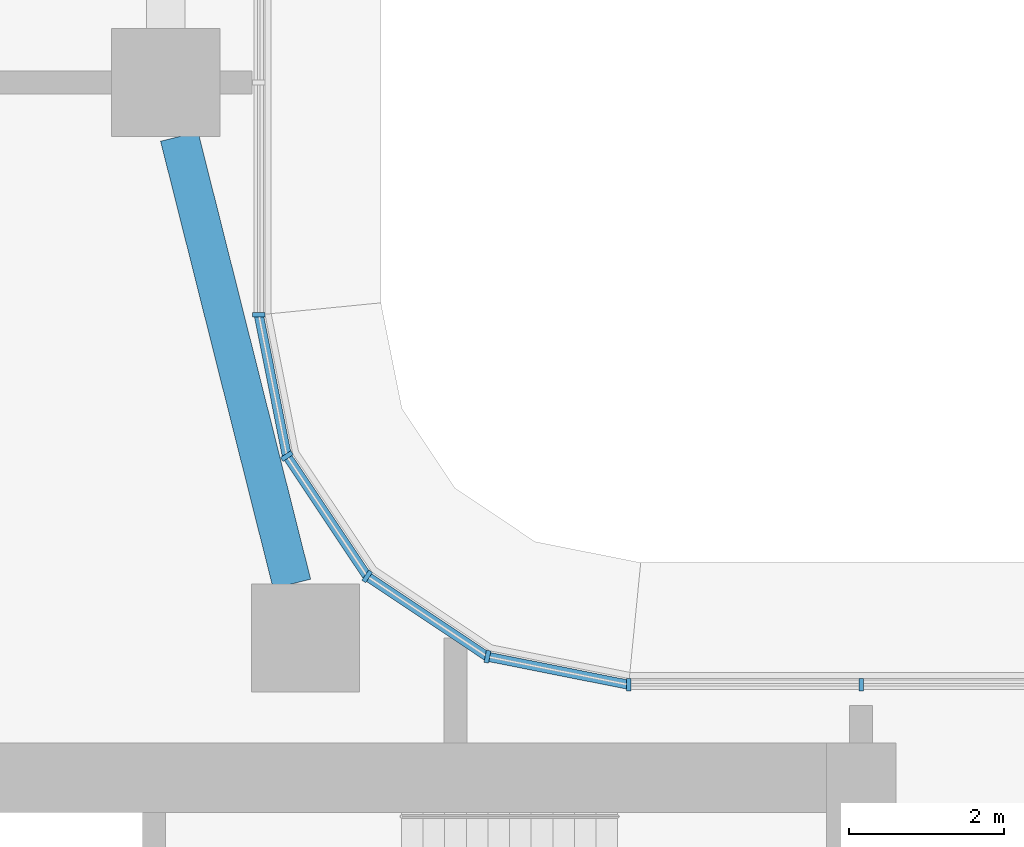
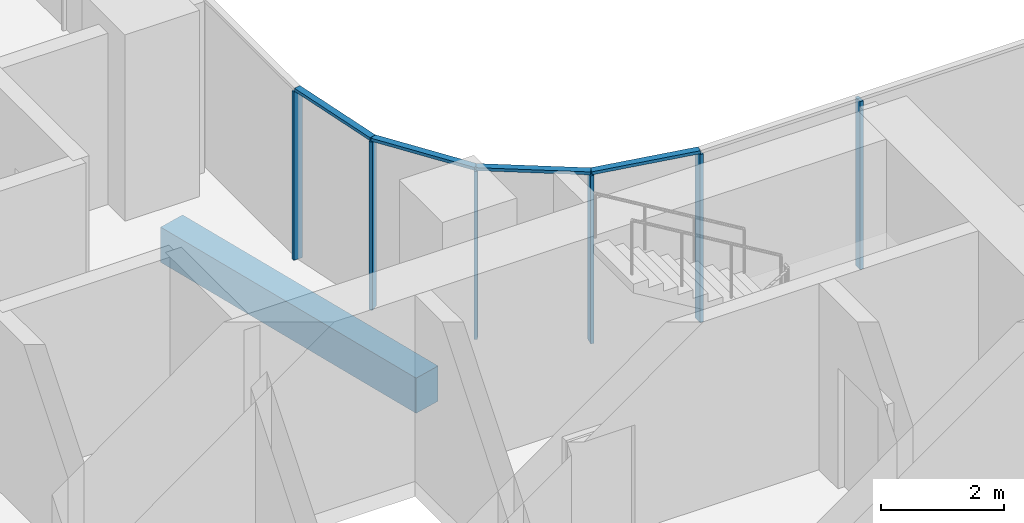
# One storey, part 2 of 39: 10 members, 1 beam, 3 elements without a shape of their own.
"""IFC4 building model written with IfcOpenShell, lengths in metres."""

import ifcopenshell
import ifcopenshell.guid

model = None  # the IFC model being written
_history = None  # IfcOwnerHistory: only IFC2X3 demands one
_inside = {}  # id of a spatial element -> (the spatial element, [elements in it])
_under = {}  # id of a project, library or spatial element -> (it, [spatial elements below it])
_declared = {}  # id of a project -> (the project, [libraries it declares])
_typed = {}  # id of a type object -> (the type object, [elements of that type])
_made_of = {}  # id of a material, layer set ... -> (it, [elements and type objects made of it])


def new_model(schema):
    """Start an empty IFC model of exactly this schema.

    Asked for "IFC4X3", IfcOpenShell would pick the latest addendum, in which some entities
    have other attributes; the version numbers below select the first issue.
    IFC2X3 requires an IfcOwnerHistory on every rooted entity: one is made here for all.
    """
    global model, _history
    if schema == "IFC4X3":
        model = ifcopenshell.file(schema_version=(4, 3, 0, 0))
    else:
        model = ifcopenshell.file(schema=schema)
    _inside.clear()
    _under.clear()
    _declared.clear()
    _typed.clear()
    _made_of.clear()
    _history = None
    if model.schema == "IFC2X3":
        org = make("IfcOrganization", Name="unknown")
        user = make(
            "IfcPersonAndOrganization",
            ThePerson=make("IfcPerson", FamilyName="unknown"),
            TheOrganization=org,
        )
        app = make(
            "IfcApplication",
            ApplicationDeveloper=org,
            Version="unknown",
            ApplicationFullName="unknown",
            ApplicationIdentifier="unknown",
        )
        _history = make(
            "IfcOwnerHistory",
            OwningUser=user,
            OwningApplication=app,
            ChangeAction="ADDED",
            CreationDate=0,
        )
    return model


def make(cls, **values):
    """One entity of the class cls with the attributes given. An attribute that is None is left unset."""
    return model.create_entity(
        cls, **{name: value for name, value in values.items() if value is not None}
    )


def rooted(cls, **values):
    """An entity with a GlobalId (a new one), such as an element, a storey or a relation."""
    return make(cls, GlobalId=ifcopenshell.guid.new(), OwnerHistory=_history, **values)


def si_unit(unit_type, name, prefix=None):
    """IfcSIUnit, for example si_unit("LENGTHUNIT", "METRE", prefix="MILLI")."""
    return make("IfcSIUnit", UnitType=unit_type, Prefix=prefix, Name=name)


def assignment(units):
    """IfcUnitAssignment: the units of a project."""
    return None if units is None else make("IfcUnitAssignment", Units=units)


def point(xyz):
    """IfcCartesianPoint."""
    return None if xyz is None else make("IfcCartesianPoint", Coordinates=xyz)


def direction(xyz):
    """IfcDirection."""
    return None if xyz is None else make("IfcDirection", DirectionRatios=xyz)


def frame(location, z_axis=None, x_axis=None):
    """IfcAxis2Placement3D, a coordinate frame: its origin and axes. An axis left out is left unset."""
    return make(
        "IfcAxis2Placement3D",
        Location=point(location),
        Axis=direction(z_axis),
        RefDirection=direction(x_axis),
    )


def frame_2d(location, x_axis=None):
    """IfcAxis2Placement2D, a coordinate frame in the plane: its origin and x axis."""
    return make(
        "IfcAxis2Placement2D", Location=point(location), RefDirection=direction(x_axis)
    )


def origin():
    """The frame at (0, 0, 0) with its axes left unset."""
    return frame((0.0, 0.0, 0.0))


def origin_2d():
    """The frame at (0, 0) in the plane with its x axis left unset."""
    return frame_2d((0.0, 0.0))


def place(relative_to, where):
    """IfcLocalPlacement: puts the frame where relative to a parent placement (None: the world)."""
    return make(
        "IfcLocalPlacement", PlacementRelTo=relative_to, RelativePlacement=where
    )


def context(
    kind, dimensions, precision=None, world=None, true_north=None, identifier=None
):
    """IfcGeometricRepresentationContext, for example the 3D "Model" context."""
    return make(
        "IfcGeometricRepresentationContext",
        ContextIdentifier=identifier,
        ContextType=kind,
        CoordinateSpaceDimension=dimensions,
        Precision=precision,
        WorldCoordinateSystem=world,
        TrueNorth=true_north,
    )


def subcontext(parent, identifier, kind, view, scale=None):
    """IfcGeometricRepresentationSubContext, for example "Body" below "Model"."""
    return make(
        "IfcGeometricRepresentationSubContext",
        ContextIdentifier=identifier,
        ContextType=kind,
        ParentContext=parent,
        TargetScale=scale,
        TargetView=view,
    )


def project(units=None, contexts=None):
    """IfcProject with its units and contexts."""
    return rooted(
        "IfcProject",
        Name="project",
        RepresentationContexts=contexts,
        UnitsInContext=assignment(units),
    )


def spatial(cls, under=None, at=None, **own):
    """A site, building, storey or space (cls), placed at a placement, below another one or the project."""
    s = rooted(cls, ObjectPlacement=at, **own)
    if under is not None:
        _under.setdefault(under.id(), (under, []))[1].append(s)
    return s


def profile(cls, at=None, kind="AREA", **sizes):
    """A parametric profile (cls). Its sizes go by their IFC names, for example OverallWidth=200.0."""
    return make(cls, ProfileType=kind, Position=at, **sizes)


def rectangle(**sizes):
    """IfcRectangleProfileDef."""
    return profile("IfcRectangleProfileDef", **sizes)


def extrude(swept, where, along, depth):
    """IfcExtrudedAreaSolid: the profile swept, set in the frame where, extruded along a direction by depth."""
    return make(
        "IfcExtrudedAreaSolid",
        SweptArea=swept,
        Position=where,
        ExtrudedDirection=direction(along),
        Depth=depth,
    )


def shape(context_of_items, identifier, shape_type, items):
    """IfcShapeRepresentation: the items that make up one representation, for example the "Body"."""
    return make(
        "IfcShapeRepresentation",
        ContextOfItems=context_of_items,
        RepresentationIdentifier=identifier,
        RepresentationType=shape_type,
        Items=items,
    )


def material(Name=None, Category=None):
    """IfcMaterial."""
    return make("IfcMaterial", Name=Name, Category=Category)


def material_profile(
    of_material, cross_section, Name=None, Category=None, Priority=None
):
    """IfcMaterialProfile: a cross section and its material."""
    return make(
        "IfcMaterialProfile",
        Name=Name,
        Material=of_material,
        Profile=cross_section,
        Priority=Priority,
        Category=Category,
    )


def profile_set(profiles, Name=None, composite=None):
    """IfcMaterialProfileSet."""
    return make(
        "IfcMaterialProfileSet",
        Name=Name,
        MaterialProfiles=profiles,
        CompositeProfile=composite,
    )


def made_of(thing, what):
    """Note that an element or type object is made of a material, layer set ...; save() writes the relation."""
    if what is not None:
        _made_of.setdefault(what.id(), (what, []))[1].append(thing)
    return thing


def type_object(cls, material=None, **own):
    """A type object (cls), such as IfcWallType, which elements share."""
    return made_of(rooted(cls, **own), material)


def element(
    cls,
    number,
    at=None,
    inside=None,
    cuts=None,
    type_object=None,
    material=None,
    context=None,
    identifier="Body",
    shape_type=None,
    held_by="IfcProductDefinitionShape",
    body=None,
    shapes=None,
    **own,
):
    """One element of the class cls, such as IfcWall. Its Tag is "e" and its number.

    at: its placement. inside: the storey or other place that contains it. cuts: it is an
    opening in that element (IfcRelVoidsElement). A single representation is given by context,
    identifier, shape_type and body (its items); several are given by shapes. held_by: the class
    of the entity that holds the representations. save() writes the other relations.
    """
    e = rooted(cls, Tag="e%d" % number, ObjectPlacement=at, **own)
    if body is not None:
        shapes = [shape(context, identifier, shape_type, body)]
    if shapes is not None:
        e.Representation = make(held_by, Representations=shapes)
    if inside is not None:
        _inside.setdefault(inside.id(), (inside, []))[1].append(e)
    if cuts is not None:
        rooted(
            "IfcRelVoidsElement", RelatingBuildingElement=cuts, RelatedOpeningElement=e
        )
    if type_object is not None:
        _typed.setdefault(type_object.id(), (type_object, []))[1].append(e)
    return made_of(e, material)


def aggregate(whole, parts):
    """IfcRelAggregates: a whole, such as a stair, and the parts it consists of."""
    return rooted("IfcRelAggregates", RelatingObject=whole, RelatedObjects=parts)


def save(model, path):
    """Write the relations noted so far, then the file.

    IfcRelAggregates (storeys below a building ...), IfcRelContainedInSpatialStructure (elements
    in a storey), IfcRelDefinesByType, IfcRelAssociatesMaterial and IfcRelDeclares: one each for
    every whole, place, type object, material and project.
    """
    for whole, parts in _under.values():
        aggregate(whole, parts)
    for where, things in _inside.values():
        rooted(
            "IfcRelContainedInSpatialStructure",
            RelatedElements=things,
            RelatingStructure=where,
        )
    for kind, things in _typed.values():
        rooted("IfcRelDefinesByType", RelatedObjects=things, RelatingType=kind)
    for what, things in _made_of.values():
        rooted("IfcRelAssociatesMaterial", RelatedObjects=things, RelatingMaterial=what)
    for by, libraries in _declared.values():
        rooted("IfcRelDeclares", RelatingContext=by, RelatedDefinitions=libraries)
    model.write(path)


model = new_model("IFC4")

# Units and contexts
model_context = context("Model", 3, precision=1e-05, world=origin(), true_north=direction((0.0, 1.0)))
body_context = subcontext(model_context, "Body", "Model", "MODEL_VIEW")
ifc_project = project(units=[si_unit("LENGTHUNIT", "METRE"), si_unit("AREAUNIT", "SQUARE_METRE"), si_unit("VOLUMEUNIT", "CUBIC_METRE"), si_unit("PLANEANGLEUNIT", "RADIAN"), si_unit("MASSUNIT", "GRAM", prefix="KILO")], contexts=[model_context])

# Site, building, storey
site_placement = place(None, origin())
site = spatial("IfcSite", under=ifc_project, at=site_placement, CompositionType="ELEMENT")
building_placement = place(site_placement, origin())
building = spatial("IfcBuilding", under=site, at=building_placement, Name="Ogive Portal Towers", CompositionType="ELEMENT")
storey_placement = place(building_placement, frame((0.0, 0.0, 44.60009765625)))
storey = spatial("IfcBuildingStorey", under=building, at=storey_placement, Name="L09", CompositionType="ELEMENT", Elevation=44.60009765625)

# Curtain wall, members
ifc_material_1 = material(Name="Glass, clear low-iron insulated glazing", Category="glass")
curtain_wall_type = type_object("IfcCurtainWallType", Name="CW FRONT RIBBON 4500", PredefinedType="NOTDEFINED", material=ifc_material_1)
curtain_wall_1_placement = place(storey_placement, origin())
curtain_wall_1 = element("IfcCurtainWall", 1, at=curtain_wall_1_placement, inside=storey, type_object=curtain_wall_type, Name="A:L09:f11:cw0", PredefinedType="NOTDEFINED")
ifc_material_2 = material(Name="Aluminium 6063 anodised", Category="aluminium")
ifc_material_profile_1 = material_profile(ifc_material_2, rectangle(XDim=0.159912109375, YDim=0.06005859375, at=origin_2d()), Name="AL 60x160")
ifc_profile_set_1 = profile_set([ifc_material_profile_1], Name="Aluminium 6063 anodised")
member_type_1 = type_object("IfcMemberType", Name="CW MULLION 60x160", PredefinedType="MULLION", material=ifc_profile_set_1)
member_1_placement = place(storey_placement, frame((58.5, 40.705078125, 0.0), z_axis=(0.0, 0.0, 1.0), x_axis=(0.0, -1.0, 0.0)))
member_1 = element("IfcMember", 2, at=member_1_placement, type_object=member_type_1, Name="mullion", PredefinedType="MULLION", context=body_context, shape_type="SweptSolid", body=[
    extrude(rectangle(XDim=0.159912109375, YDim=0.06005859375, at=origin_2d()), origin(), (0.0, 0.0, 1.0), 3.33984375),
])
member_2_placement = place(storey_placement, frame((55.4921875, 40.705078125, 0.0), z_axis=(0.0, 0.0, 1.0), x_axis=(0.0, -1.0, 0.0)))
member_2 = element("IfcMember", 3, at=member_2_placement, type_object=member_type_1, Name="mullion", PredefinedType="MULLION", context=body_context, shape_type="SweptSolid", body=[
    extrude(rectangle(XDim=0.159912109375, YDim=0.06005859375, at=origin_2d()), origin(), (0.0, 0.0, 1.0), 3.33984375),
])
aggregate(curtain_wall_1, [member_1, member_2])

# Curtain wall, member
curtain_wall_2_placement = place(storey_placement, origin())
curtain_wall_2 = element("IfcCurtainWall", 4, at=curtain_wall_2_placement, inside=storey, type_object=curtain_wall_type, Name="A:L09:f16:cw0", PredefinedType="NOTDEFINED")
member_3_placement = place(storey_placement, frame((50.705078125, 45.4921875, 0.0), z_axis=(0.0, 0.0, 1.0), x_axis=(-1.0, 0.0, 0.0)))
member_3 = element("IfcMember", 5, at=member_3_placement, type_object=member_type_1, Name="mullion", PredefinedType="MULLION", context=body_context, shape_type="SweptSolid", body=[
    extrude(rectangle(XDim=0.159912109375, YDim=0.06005859375, at=origin_2d()), origin(), (0.0, 0.0, 1.0), 3.33984375),
])
aggregate(curtain_wall_2, [member_3])

# Curtain wall, members
curtain_wall_3_placement = place(storey_placement, origin())
curtain_wall_3 = element("IfcCurtainWall", 6, at=curtain_wall_3_placement, inside=storey, type_object=curtain_wall_type, Name="A:L09:f12:cwa", PredefinedType="NOTDEFINED")
member_4_placement = place(storey_placement, frame((53.66455078125, 41.068603515625, 0.0), z_axis=(0.0, 0.0, 1.0), x_axis=(-0.195090322016, -0.980785280403, 0.0)))
member_4 = element("IfcMember", 7, at=member_4_placement, type_object=member_type_1, Name="mullion", PredefinedType="MULLION", context=body_context, shape_type="SweptSolid", body=[
    extrude(rectangle(XDim=0.159912109375, YDim=0.06005859375, at=origin_2d()), origin(), (0.0, 0.0, 1.0), 3.33984375),
])
member_5_placement = place(storey_placement, frame((52.1083984375, 42.1083984375, 0.0), z_axis=(0.0, 0.0, 1.0), x_axis=(-0.55557023302, -0.831469612303, 0.0)))
member_5 = element("IfcMember", 8, at=member_5_placement, type_object=member_type_1, Name="mullion", PredefinedType="MULLION", context=body_context, shape_type="SweptSolid", body=[
    extrude(rectangle(XDim=0.159912109375, YDim=0.06005859375, at=origin_2d()), origin(), (0.0, 0.0, 1.0), 3.33984375),
])
member_6_placement = place(storey_placement, frame((51.068603515625, 43.66455078125, 0.0), z_axis=(0.0, 0.0, 1.0), x_axis=(-0.831469612303, -0.55557023302, 0.0)))
member_6 = element("IfcMember", 9, at=member_6_placement, type_object=member_type_1, Name="mullion", PredefinedType="MULLION", context=body_context, shape_type="SweptSolid", body=[
    extrude(rectangle(XDim=0.159912109375, YDim=0.06005859375, at=origin_2d()), origin(), (0.0, 0.0, 1.0), 3.33984375),
])
ifc_material_profile_2 = material_profile(ifc_material_2, rectangle(XDim=0.1201171875, YDim=0.06005859375, at=origin_2d()), Name="AL 120x60")
ifc_profile_set_2 = profile_set([ifc_material_profile_2], Name="Aluminium 6063 anodised")
member_type_2 = type_object("IfcMemberType", Name="CW TRANSOM 60x120", PredefinedType="USERDEFINED", material=ifc_profile_set_2)
member_7_placement = place(storey_placement, frame((55.4921875, 40.705078125, 3.369873046875), z_axis=(-0.980786733923, 0.195083014535, 0.0), x_axis=(-0.195083014535, -0.980786733923, 0.0)))
member_7 = element("IfcMember", 10, at=member_7_placement, type_object=member_type_2, Name="transom", ObjectType="TRANSOM", PredefinedType="USERDEFINED", context=body_context, shape_type="SweptSolid", body=[
    extrude(rectangle(XDim=0.1201171875, YDim=0.06005859375, at=origin_2d()), origin(), (0.0, 0.0, 1.0), 1.863525390625),
])
member_8_placement = place(storey_placement, frame((53.66455078125, 41.068603515625, 3.369873046875), z_axis=(-0.831467842992, 0.55557288097, 0.0), x_axis=(-0.55557288097, -0.831467842992, 0.0)))
member_8 = element("IfcMember", 11, at=member_8_placement, type_object=member_type_2, Name="transom", ObjectType="TRANSOM", PredefinedType="USERDEFINED", context=body_context, shape_type="SweptSolid", body=[
    extrude(rectangle(XDim=0.1201171875, YDim=0.06005859375, at=origin_2d()), origin(), (0.0, 0.0, 1.0), 1.87158203125),
])
member_9_placement = place(storey_placement, frame((52.1083984375, 42.1083984375, 3.369873046875), z_axis=(-0.55557288097, 0.831467842992, 0.0), x_axis=(-0.831467842992, -0.55557288097, 0.0)))
member_9 = element("IfcMember", 12, at=member_9_placement, type_object=member_type_2, Name="transom", ObjectType="TRANSOM", PredefinedType="USERDEFINED", context=body_context, shape_type="SweptSolid", body=[
    extrude(rectangle(XDim=0.1201171875, YDim=0.06005859375, at=origin_2d()), origin(), (0.0, 0.0, 1.0), 1.87158203125),
])
member_10_placement = place(storey_placement, frame((51.068603515625, 43.66455078125, 3.369873046875), z_axis=(-0.195083014535, 0.980786733923, 0.0), x_axis=(-0.980786733923, -0.195083014535, 0.0)))
member_10 = element("IfcMember", 13, at=member_10_placement, type_object=member_type_2, Name="transom", ObjectType="TRANSOM", PredefinedType="USERDEFINED", context=body_context, shape_type="SweptSolid", body=[
    extrude(rectangle(XDim=0.1201171875, YDim=0.06005859375, at=origin_2d()), origin(), (0.0, 0.0, 1.0), 1.863525390625),
])
aggregate(curtain_wall_3, [member_7, member_8, member_9, member_10, member_4, member_5, member_6])

# Beam
ifc_material_3 = material(Name="Concrete C40/50", Category="concrete")
ifc_material_profile_3 = material_profile(ifc_material_3, rectangle(XDim=0.5, YDim=0.699951171875, at=origin_2d()), Name="RC 500x700")
ifc_profile_set_3 = profile_set([ifc_material_profile_3], Name="Concrete C40/50")
beam_type = type_object("IfcBeamType", Name="SPANDREL BEAM RC 500x700", PredefinedType="BEAM", material=ifc_profile_set_3)
beam_placement = place(storey_placement, frame((49.67626953125, 47.800048828125, -0.650146484375), z_axis=(0.24411317639, -0.969746748957, 0.0), x_axis=(0.969746748957, 0.24411317639, 0.0)))
element("IfcBeam", 14, at=beam_placement, inside=storey, type_object=beam_type, Name="Spandrel beam L09", PredefinedType="BEAM", context=body_context, shape_type="SweptSolid", body=[
    extrude(rectangle(XDim=0.5, YDim=0.699951171875, at=origin_2d()), origin(), (0.0, 0.0, 1.0), 5.970703125),
])

save(model, "model.ifc")
